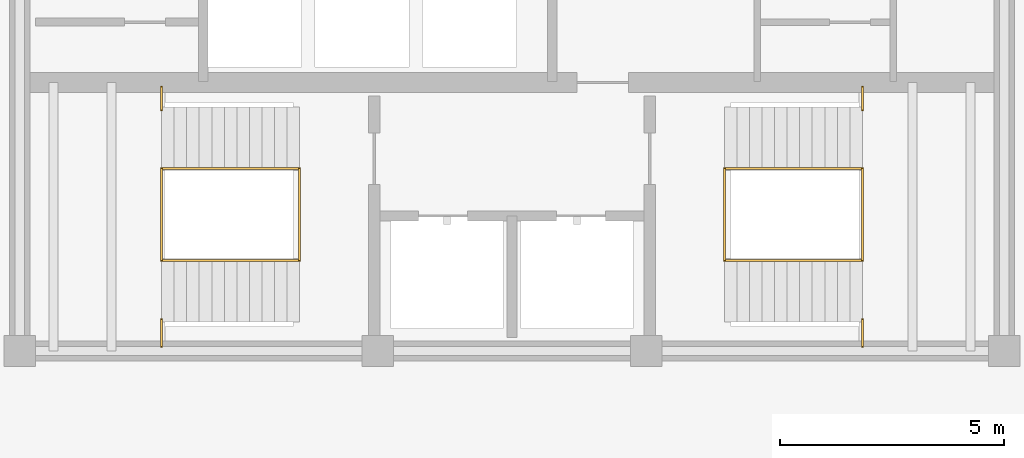
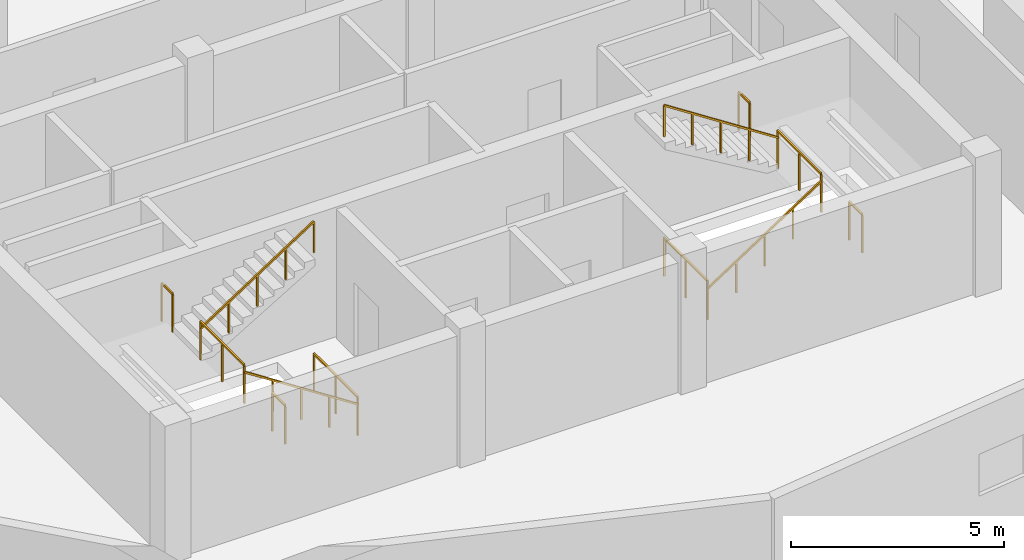
# One storey, part 4 of 5: 12 railings.
"""IFC4 building model written with IfcOpenShell, lengths in metres."""

from ifc_helpers import new_model, si_unit, direction, frame, origin, origin_2d, place, context, subcontext, project, spatial, rectangle, extrude, material, type_object, element, save


model = new_model("IFC4")

# Units and contexts
model_context = context("Model", 3, precision=1e-05, world=origin(), true_north=direction((0.0, 1.0)))
body_context = subcontext(model_context, "Body", "Model", "MODEL_VIEW")
ifc_project = project(units=[si_unit("LENGTHUNIT", "METRE"), si_unit("AREAUNIT", "SQUARE_METRE"), si_unit("VOLUMEUNIT", "CUBIC_METRE"), si_unit("PLANEANGLEUNIT", "RADIAN"), si_unit("MASSUNIT", "GRAM", prefix="KILO")], contexts=[model_context])

# Site, building, storey
site_placement = place(None, origin())
site = spatial("IfcSite", under=ifc_project, at=site_placement, CompositionType="ELEMENT")
building_placement = place(site_placement, origin())
building = spatial("IfcBuilding", under=site, at=building_placement, Name="Kazevale Care Tower and Concert Hall", CompositionType="ELEMENT")
storey_placement = place(building_placement, frame((0.0, 0.0, 292.800048828125)))
storey = spatial("IfcBuildingStorey", under=building, at=storey_placement, Name="L77", CompositionType="ELEMENT", Elevation=292.800048828125)

# Railings
ifc_material = material(Name="Stainless Steel 316", Category="steel")
railing_type_1 = type_object("IfcRailingType", Name="Stair Pitch Handrail 920", PredefinedType="HANDRAIL", material=ifc_material)
railing_1_placement = place(storey_placement, frame((28.25, 25.6201171875, 0.0)))
element("IfcRailing", 1, at=railing_1_placement, inside=storey, type_object=railing_type_1, Name="stair:L77:ST1:hr1", PredefinedType="HANDRAIL", context=body_context, shape_type="SweptSolid", body=[
    extrude(rectangle(XDim=0.048095703125, YDim=0.048095703125, at=origin_2d()), frame((0.0, 0.0, 0.89599609375), z_axis=(-0.838698691485, 0.0, 0.544595726113), x_axis=(0.0, -1.0, 0.0)), (0.0, 0.0, 1.0), 3.67236328125),
    extrude(rectangle(XDim=0.0419921875, YDim=0.0419921875, at=origin_2d()), origin(), (0.0, 0.0, 1.0), 0.871826171875),
    extrude(rectangle(XDim=0.0419921875, YDim=0.0419921875, at=origin_2d()), frame((-0.77001953125, 0.0, 0.5)), (0.0, 0.0, 1.0), 0.871826171875),
    extrude(rectangle(XDim=0.0419921875, YDim=0.0419921875, at=origin_2d()), frame((-1.5400390625, 0.0, 1.0)), (0.0, 0.0, 1.0), 0.871826171875),
    extrude(rectangle(XDim=0.0419921875, YDim=0.0419921875, at=origin_2d()), frame((-2.31005859375, 0.0, 1.5)), (0.0, 0.0, 1.0), 0.871826171875),
    extrude(rectangle(XDim=0.0419921875, YDim=0.0419921875, at=origin_2d()), frame((-3.080078125, 0.0, 2.0)), (0.0, 0.0, 1.0), 0.871826171875),
])
for number, where, name in (
    (2, (25.169921875, 27.679931640625, 2.0), "stair:L77:ST1:hr2"),
    (3, (37.75, 25.6201171875, 0.0), "stair:L77:ST2:hr1"),
):
    element("IfcRailing", number, at=place(storey_placement, frame(where)), inside=storey, type_object=railing_type_1, Name=name, PredefinedType="HANDRAIL", context=body_context, shape_type="SweptSolid", body=[
        extrude(rectangle(XDim=0.048095703125, YDim=0.048095703125, at=origin_2d()), frame((0.0, 0.0, 0.89599609375), z_axis=(0.838698691485, 0.0, 0.544595726113), x_axis=(0.0, 1.0, 0.0)), (0.0, 0.0, 1.0), 3.67236328125),
        extrude(rectangle(XDim=0.0419921875, YDim=0.0419921875, at=origin_2d()), origin(), (0.0, 0.0, 1.0), 0.871826171875),
        extrude(rectangle(XDim=0.0419921875, YDim=0.0419921875, at=origin_2d()), frame((0.77001953125, 0.0, 0.5)), (0.0, 0.0, 1.0), 0.871826171875),
        extrude(rectangle(XDim=0.0419921875, YDim=0.0419921875, at=origin_2d()), frame((1.5400390625, 0.0, 1.0)), (0.0, 0.0, 1.0), 0.871826171875),
        extrude(rectangle(XDim=0.0419921875, YDim=0.0419921875, at=origin_2d()), frame((2.31005859375, 0.0, 1.5)), (0.0, 0.0, 1.0), 0.871826171875),
        extrude(rectangle(XDim=0.0419921875, YDim=0.0419921875, at=origin_2d()), frame((3.080078125, 0.0, 2.0)), (0.0, 0.0, 1.0), 0.871826171875),
    ])
railing_2_placement = place(storey_placement, frame((40.830078125, 27.679931640625, 2.0)))
element("IfcRailing", 4, at=railing_2_placement, inside=storey, type_object=railing_type_1, Name="stair:L77:ST2:hr2", PredefinedType="HANDRAIL", context=body_context, shape_type="SweptSolid", body=[
    extrude(rectangle(XDim=0.048095703125, YDim=0.048095703125, at=origin_2d()), frame((0.0, 0.0, 0.89599609375), z_axis=(-0.838698691485, 0.0, 0.544595726113), x_axis=(0.0, -1.0, 0.0)), (0.0, 0.0, 1.0), 3.67236328125),
    extrude(rectangle(XDim=0.0419921875, YDim=0.0419921875, at=origin_2d()), origin(), (0.0, 0.0, 1.0), 0.871826171875),
    extrude(rectangle(XDim=0.0419921875, YDim=0.0419921875, at=origin_2d()), frame((-0.77001953125, 0.0, 0.5)), (0.0, 0.0, 1.0), 0.871826171875),
    extrude(rectangle(XDim=0.0419921875, YDim=0.0419921875, at=origin_2d()), frame((-1.5400390625, 0.0, 1.0)), (0.0, 0.0, 1.0), 0.871826171875),
    extrude(rectangle(XDim=0.0419921875, YDim=0.0419921875, at=origin_2d()), frame((-2.31005859375, 0.0, 1.5)), (0.0, 0.0, 1.0), 0.871826171875),
    extrude(rectangle(XDim=0.0419921875, YDim=0.0419921875, at=origin_2d()), frame((-3.080078125, 0.0, 2.0)), (0.0, 0.0, 1.0), 0.871826171875),
])
railing_type_2 = type_object("IfcRailingType", Name="Stair Well Guard Balustrade 1120", PredefinedType="BALUSTRADE", material=ifc_material)
railing_3_placement = place(storey_placement, frame((25.169921875, 23.699951171875, 2.0)))
element("IfcRailing", 5, at=railing_3_placement, inside=storey, type_object=railing_type_2, Name="stair:L77:ST1:grd_side1", PredefinedType="BALUSTRADE", context=body_context, shape_type="SweptSolid", body=[
    extrude(rectangle(XDim=0.048095703125, YDim=0.048095703125, at=origin_2d()), frame((0.0, 0.0, 1.09619140625), z_axis=(0.0, 1.0, 0.0), x_axis=(-1.0, 0.0, 0.0)), (0.0, 0.0, 1.0), 0.610107421875),
    extrude(rectangle(XDim=0.0419921875, YDim=0.0419921875, at=origin_2d()), origin(), (0.0, 0.0, 1.0), 1.072021484375),
    extrude(rectangle(XDim=0.0419921875, YDim=0.0419921875, at=origin_2d()), frame((0.0, 0.610107421875, 0.0)), (0.0, 0.0, 1.0), 1.072021484375),
])
railing_4_placement = place(storey_placement, frame((25.169921875, 28.989990234375, 2.0)))
element("IfcRailing", 6, at=railing_4_placement, inside=storey, type_object=railing_type_2, Name="stair:L77:ST1:grd_side2", PredefinedType="BALUSTRADE", context=body_context, shape_type="SweptSolid", body=[
    extrude(rectangle(XDim=0.048095703125, YDim=0.048095703125, at=origin_2d()), frame((0.0, 0.0, 1.09619140625), z_axis=(0.0, 1.0, 0.0), x_axis=(-1.0, 0.0, 0.0)), (0.0, 0.0, 1.0), 0.510009765625),
    extrude(rectangle(XDim=0.0419921875, YDim=0.0419921875, at=origin_2d()), origin(), (0.0, 0.0, 1.0), 1.072021484375),
    extrude(rectangle(XDim=0.0419921875, YDim=0.0419921875, at=origin_2d()), frame((0.0, 0.510009765625, 0.0)), (0.0, 0.0, 1.0), 1.072021484375),
])
for number, where, name in (
    (7, (25.169921875, 25.6201171875, 2.0), "stair:L77:ST1:grd_mid"),
    (8, (28.25, 25.6201171875, 0.0), "stair:L77:ST1:grd_flr"),
):
    element("IfcRailing", number, at=place(storey_placement, frame(where)), inside=storey, type_object=railing_type_2, Name=name, PredefinedType="BALUSTRADE", context=body_context, shape_type="SweptSolid", body=[
        extrude(rectangle(XDim=0.048095703125, YDim=0.048095703125, at=origin_2d()), frame((0.0, 0.0, 1.09619140625), z_axis=(0.0, 1.0, 0.0), x_axis=(-1.0, 0.0, 0.0)), (0.0, 0.0, 1.0), 2.059814453125),
        extrude(rectangle(XDim=0.0419921875, YDim=0.0419921875, at=origin_2d()), origin(), (0.0, 0.0, 1.0), 1.072021484375),
        extrude(rectangle(XDim=0.0419921875, YDim=0.0419921875, at=origin_2d()), frame((0.0, 1.02978515625, 0.0)), (0.0, 0.0, 1.0), 1.072021484375),
        extrude(rectangle(XDim=0.0419921875, YDim=0.0419921875, at=origin_2d()), frame((0.0, 2.059814453125, 0.0)), (0.0, 0.0, 1.0), 1.072021484375),
    ])
railing_5_placement = place(storey_placement, frame((40.830078125, 23.699951171875, 2.0)))
element("IfcRailing", 9, at=railing_5_placement, inside=storey, type_object=railing_type_2, Name="stair:L77:ST2:grd_side1", PredefinedType="BALUSTRADE", context=body_context, shape_type="SweptSolid", body=[
    extrude(rectangle(XDim=0.048095703125, YDim=0.048095703125, at=origin_2d()), frame((0.0, 0.0, 1.09619140625), z_axis=(0.0, 1.0, 0.0), x_axis=(-1.0, 0.0, 0.0)), (0.0, 0.0, 1.0), 0.610107421875),
    extrude(rectangle(XDim=0.0419921875, YDim=0.0419921875, at=origin_2d()), origin(), (0.0, 0.0, 1.0), 1.072021484375),
    extrude(rectangle(XDim=0.0419921875, YDim=0.0419921875, at=origin_2d()), frame((0.0, 0.610107421875, 0.0)), (0.0, 0.0, 1.0), 1.072021484375),
])
railing_6_placement = place(storey_placement, frame((40.830078125, 28.989990234375, 2.0)))
element("IfcRailing", 10, at=railing_6_placement, inside=storey, type_object=railing_type_2, Name="stair:L77:ST2:grd_side2", PredefinedType="BALUSTRADE", context=body_context, shape_type="SweptSolid", body=[
    extrude(rectangle(XDim=0.048095703125, YDim=0.048095703125, at=origin_2d()), frame((0.0, 0.0, 1.09619140625), z_axis=(0.0, 1.0, 0.0), x_axis=(-1.0, 0.0, 0.0)), (0.0, 0.0, 1.0), 0.510009765625),
    extrude(rectangle(XDim=0.0419921875, YDim=0.0419921875, at=origin_2d()), origin(), (0.0, 0.0, 1.0), 1.072021484375),
    extrude(rectangle(XDim=0.0419921875, YDim=0.0419921875, at=origin_2d()), frame((0.0, 0.510009765625, 0.0)), (0.0, 0.0, 1.0), 1.072021484375),
])
for number, where, name in (
    (11, (40.830078125, 25.6201171875, 2.0), "stair:L77:ST2:grd_mid"),
    (12, (37.75, 25.6201171875, 0.0), "stair:L77:ST2:grd_flr"),
):
    element("IfcRailing", number, at=place(storey_placement, frame(where)), inside=storey, type_object=railing_type_2, Name=name, PredefinedType="BALUSTRADE", context=body_context, shape_type="SweptSolid", body=[
        extrude(rectangle(XDim=0.048095703125, YDim=0.048095703125, at=origin_2d()), frame((0.0, 0.0, 1.09619140625), z_axis=(0.0, 1.0, 0.0), x_axis=(-1.0, 0.0, 0.0)), (0.0, 0.0, 1.0), 2.059814453125),
        extrude(rectangle(XDim=0.0419921875, YDim=0.0419921875, at=origin_2d()), origin(), (0.0, 0.0, 1.0), 1.072021484375),
        extrude(rectangle(XDim=0.0419921875, YDim=0.0419921875, at=origin_2d()), frame((0.0, 1.02978515625, 0.0)), (0.0, 0.0, 1.0), 1.072021484375),
        extrude(rectangle(XDim=0.0419921875, YDim=0.0419921875, at=origin_2d()), frame((0.0, 2.059814453125, 0.0)), (0.0, 0.0, 1.0), 1.072021484375),
    ])

save(model, "model.ifc")
